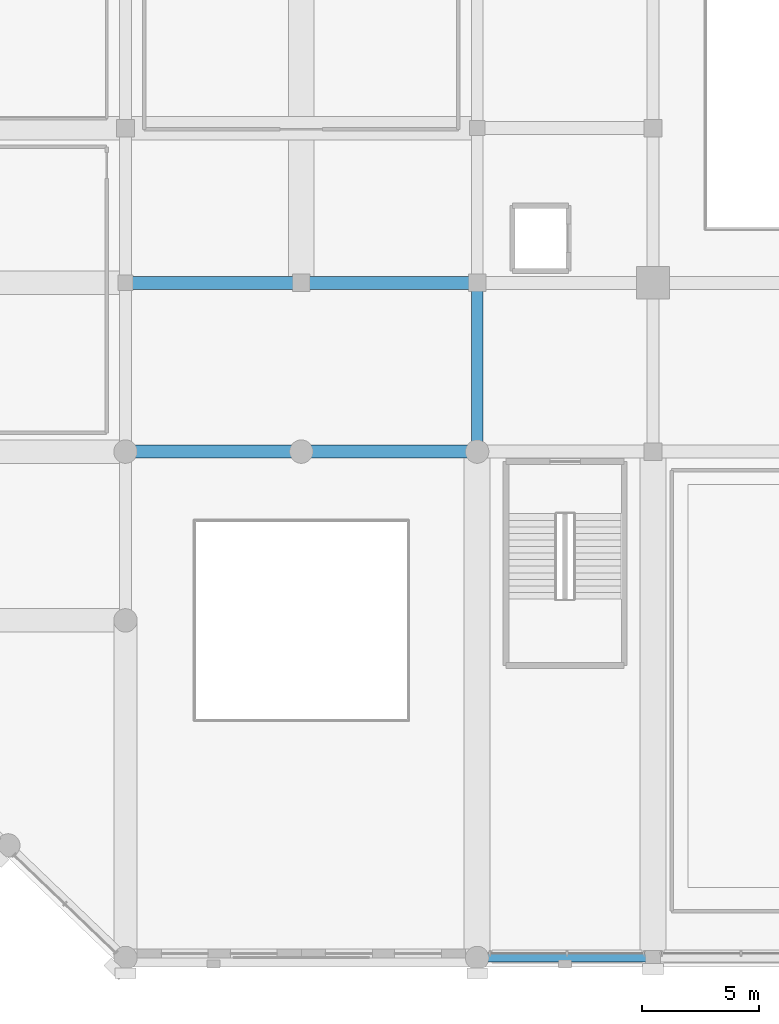
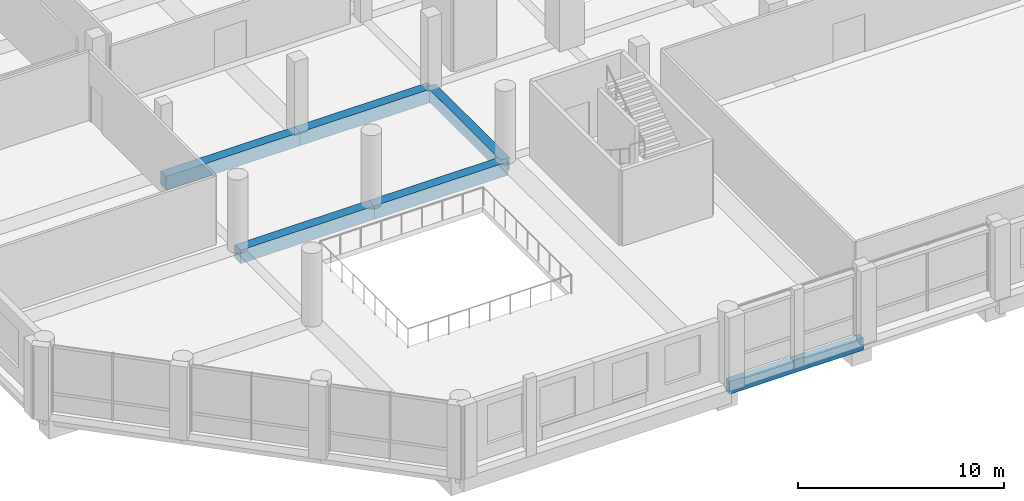
# One storey, part 12 of 64: 6 beams.
"""IFC4 building model written with IfcOpenShell, lengths in metres."""

from ifc_helpers import new_model, si_unit, direction, frame, origin, origin_2d, place, context, subcontext, project, spatial, rectangle, extrude, material, material_profile, profile_set, type_object, element, save


model = new_model("IFC4")

# Units and contexts
model_context = context("Model", 3, precision=1e-05, world=origin(), true_north=direction((0.0, 1.0)))
body_context = subcontext(model_context, "Body", "Model", "MODEL_VIEW")
ifc_project = project(units=[si_unit("LENGTHUNIT", "METRE"), si_unit("AREAUNIT", "SQUARE_METRE"), si_unit("VOLUMEUNIT", "CUBIC_METRE"), si_unit("PLANEANGLEUNIT", "RADIAN"), si_unit("MASSUNIT", "GRAM", prefix="KILO")], contexts=[model_context])

# Site, building, storey
site_placement = place(None, origin())
site = spatial("IfcSite", under=ifc_project, at=site_placement, CompositionType="ELEMENT")
building_placement = place(site_placement, origin())
building = spatial("IfcBuilding", under=site, at=building_placement, Name="Akrevak Sports Hall", CompositionType="ELEMENT")
storey_placement = place(building_placement, frame((0.0, 0.0, 4.60009765625)))
storey = spatial("IfcBuildingStorey", under=building, at=storey_placement, Name="L01", CompositionType="ELEMENT", Elevation=4.60009765625)

# Beams
ifc_material = material(Name="Concrete C40/50", Category="concrete")
ifc_material_profile_1 = material_profile(ifc_material, rectangle(XDim=0.5, YDim=0.75, at=origin_2d()), Name="BM 500x750", Category="concrete")
ifc_profile_set_1 = profile_set([ifc_material_profile_1], Name="Concrete C40/50")
beam_type_1 = type_object("IfcBeamType", Name="STR-BM-RC500x750", PredefinedType="BEAM", material=ifc_profile_set_1)
beam_1_placement = place(storey_placement, frame((30.0, 21.60009765625, -0.375), z_axis=(0.0, 1.0, 0.0), x_axis=(-1.0, 0.0, 0.0)))
element("IfcBeam", 1, at=beam_1_placement, inside=storey, type_object=beam_type_1, Name="Girder 5/D-E (L01)", PredefinedType="BEAM", context=body_context, shape_type="SweptSolid", body=[
    extrude(rectangle(XDim=0.5, YDim=0.75, at=origin_2d()), origin(), (0.0, 0.0, 1.0), 7.199951171875),
])
ifc_material_profile_2 = material_profile(ifc_material, rectangle(XDim=0.550048828125, YDim=0.800048828125, at=origin_2d()), Name="BM 550x800", Category="concrete")
ifc_profile_set_2 = profile_set([ifc_material_profile_2], Name="Concrete C40/50")
beam_type_2 = type_object("IfcBeamType", Name="STR-BM-RC550x800", PredefinedType="BEAM", material=ifc_profile_set_2)
for number, where, z_axis, x_axis, name in (
    (2, (15.0, 21.60009765625, -0.400146484375), (1.0, 0.0, 0.0), (0.0, 1.0, 0.0), "Girder D/3-4 (L01)"),
    (3, (22.5, 21.60009765625, -0.400146484375), (1.0, 0.0, 0.0), (0.0, 1.0, 0.0), "Girder D/4-5 (L01)"),
    (4, (15.0, 28.800048828125, -0.400146484375), (1.0, 0.0, 0.0), (0.0, 1.0, 0.0), "Girder E/3-4 (L01)"),
    (5, (22.5, 28.800048828125, -0.400146484375), (1.0, 0.0, 0.0), (0.0, 1.0, 0.0), "Girder E/4-5 (L01)"),
):
    element("IfcBeam", number, at=place(storey_placement, frame(where, z_axis=z_axis, x_axis=x_axis)), inside=storey, type_object=beam_type_2, Name=name, PredefinedType="BEAM", context=body_context, shape_type="SweptSolid", body=[
        extrude(rectangle(XDim=0.550048828125, YDim=0.800048828125, at=origin_2d()), origin(), (0.0, 0.0, 1.0), 7.5),
    ])
ifc_material_profile_3 = material_profile(ifc_material, rectangle(XDim=0.35009765625, YDim=0.75, at=origin_2d()), Name="SPD 350x750", Category="concrete")
ifc_profile_set_3 = profile_set([ifc_material_profile_3], Name="Concrete C40/50")
beam_type_3 = type_object("IfcBeamType", Name="STR-SPD-RC350x750", PredefinedType="SPANDREL", material=ifc_profile_set_3)
beam_2_placement = place(storey_placement, frame((30.0, 0.0, -0.375), z_axis=(1.0, 0.0, 0.0), x_axis=(0.0, 1.0, 0.0)))
element("IfcBeam", 6, at=beam_2_placement, inside=storey, type_object=beam_type_3, Name="Girder A/5-6 (L01)", PredefinedType="SPANDREL", context=body_context, shape_type="SweptSolid", body=[
    extrude(rectangle(XDim=0.35009765625, YDim=0.75, at=origin_2d()), origin(), (0.0, 0.0, 1.0), 7.5),
])

save(model, "model.ifc")
